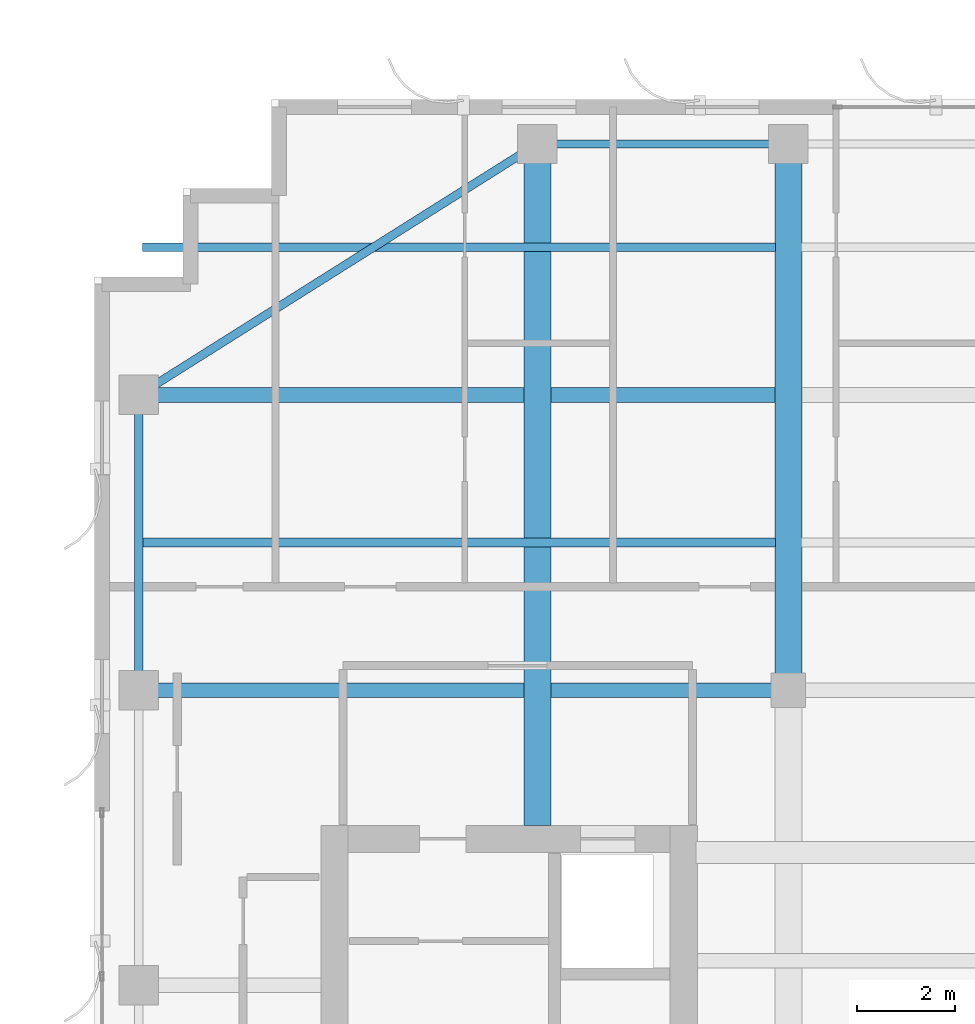
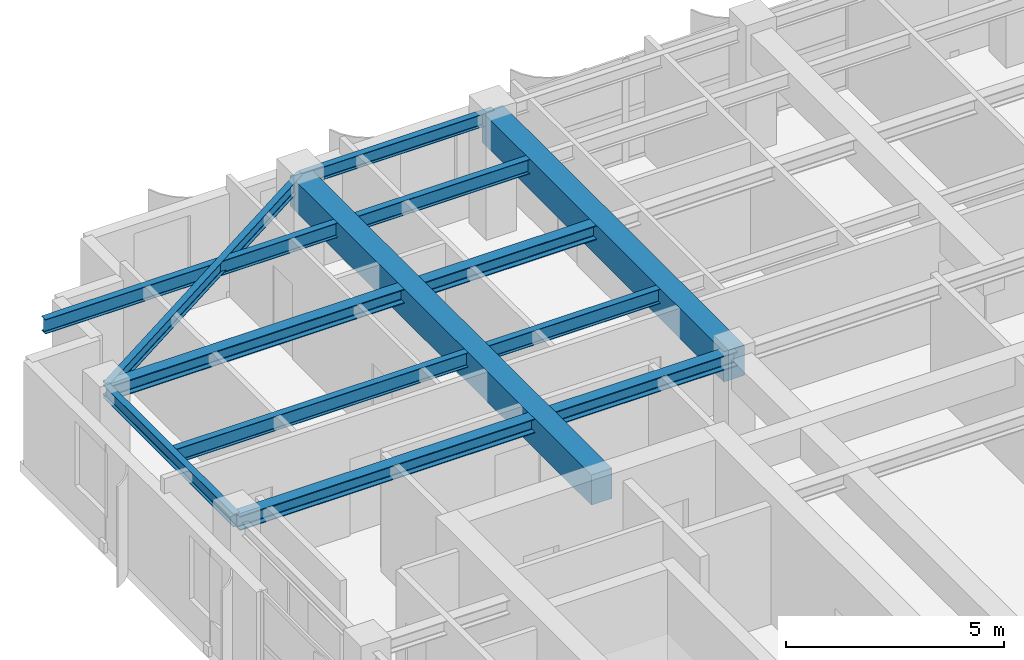
# One storey, part 9 of 19: 9 beams.
"""IFC4 building model written with IfcOpenShell, lengths in metres."""

from ifc_helpers import new_model, si_unit, direction, frame, origin, origin_2d, place, context, subcontext, project, spatial, rectangle, i_section, extrude, source, transform, mapped, material, material_profile, profile_set, type_object, element, save


model = new_model("IFC4")

# Units and contexts
model_context = context("Model", 3, precision=1e-05, world=origin(), true_north=direction((0.0, 1.0)))
body_context = subcontext(model_context, "Body", "Model", "MODEL_VIEW")
ifc_project = project(units=[si_unit("LENGTHUNIT", "METRE"), si_unit("AREAUNIT", "SQUARE_METRE"), si_unit("VOLUMEUNIT", "CUBIC_METRE"), si_unit("PLANEANGLEUNIT", "RADIAN"), si_unit("MASSUNIT", "GRAM", prefix="KILO")], contexts=[model_context])

# Site, building, storey
site_placement = place(None, origin())
site = spatial("IfcSite", under=ifc_project, at=site_placement, CompositionType="ELEMENT")
building_placement = place(site_placement, origin())
building = spatial("IfcBuilding", under=site, at=building_placement, Name="Khoralis Quay Care Tower", CompositionType="ELEMENT")
storey_placement = place(building_placement, frame((0.0, 0.0, 281.699951171875)))
storey = spatial("IfcBuildingStorey", under=building, at=storey_placement, Name="L74", CompositionType="ELEMENT", Elevation=281.699951171875)

# Beams
ifc_material_1 = material(Name="Steel S355", Category="steel")
ifc_material_profile_1 = material_profile(ifc_material_1, i_section(OverallWidth=0.169921875, OverallDepth=0.360107421875, WebThickness=0.008056640625, FlangeThickness=0.0126953125, FilletRadius=0.01806640625, at=origin_2d()), Name="Steel S355")
ifc_profile_set_1 = profile_set([ifc_material_profile_1], Name="Steel S355")
beam_type_1 = type_object("IfcBeamType", Name="BM-IPE360", PredefinedType="SPANDREL", material=ifc_profile_set_1)
shared_shape_1 = source(origin(), body_context, "Body", "SweptSolid", [
    extrude(i_section(OverallWidth=0.169921875, OverallDepth=0.360107421875, WebThickness=0.008056640625, FlangeThickness=0.0126953125, FilletRadius=0.01806640625, at=origin_2d()), origin(), (0.0, 0.0, 1.0), 5.10009765625),
])
beam_1_placement = place(storey_placement, frame((12.0, 41.10009765625, 3.14013671875), z_axis=(1.0, 0.0, 0.0), x_axis=(0.0, 1.0, 0.0)))
element("IfcBeam", 1, at=beam_1_placement, inside=storey, type_object=beam_type_1, Name="BM-TSP-L74-05", PredefinedType="SPANDREL", context=body_context, shape_type="MappedRepresentation", body=[
    mapped(shared_shape_1, transform((0.0, 0.0, 0.0), scale=1.0)),
])
shared_shape_2 = source(origin(), body_context, "Body", "SweptSolid", [
    extrude(i_section(OverallWidth=0.169921875, OverallDepth=0.360107421875, WebThickness=0.008056640625, FlangeThickness=0.0126953125, FilletRadius=0.01806640625, at=origin_2d()), origin(), (0.0, 0.0, 1.0), 6.0),
])
beam_2_placement = place(storey_placement, frame((3.89990234375, 30.0, 3.14013671875), z_axis=(0.0, 1.0, 0.0), x_axis=(-1.0, 0.0, 0.0)))
element("IfcBeam", 2, at=beam_2_placement, inside=storey, type_object=beam_type_1, Name="BM-TSP-L74-12", PredefinedType="SPANDREL", context=body_context, shape_type="MappedRepresentation", body=[
    mapped(shared_shape_2, transform((0.0, 0.0, 0.0), scale=1.0)),
])
shared_shape_3 = source(origin(), body_context, "Body", "SweptSolid", [
    extrude(i_section(OverallWidth=0.169921875, OverallDepth=0.360107421875, WebThickness=0.008056640625, FlangeThickness=0.0126953125, FilletRadius=0.01806640625, at=origin_2d()), origin(), (0.0, 0.0, 1.0), 9.572021484375),
])
beam_3_placement = place(storey_placement, frame((12.0, 41.10009765625, 3.14013671875), z_axis=(-0.846231136359, -0.532815975602, 0.0), x_axis=(0.532815975602, -0.846231136359, 0.0)))
element("IfcBeam", 3, at=beam_3_placement, inside=storey, type_object=beam_type_1, Name="BM-TCR-L74-19", PredefinedType="SPANDREL", context=body_context, shape_type="MappedRepresentation", body=[
    mapped(shared_shape_3, transform((0.0, 0.0, 0.0), scale=1.0)),
])
ifc_material_profile_2 = material_profile(ifc_material_1, i_section(OverallWidth=0.300048828125, OverallDepth=0.39990234375, WebThickness=0.013427734375, FlangeThickness=0.02392578125, FilletRadius=0.027099609375, at=origin_2d()), Name="Steel S355")
ifc_profile_set_2 = profile_set([ifc_material_profile_2], Name="Steel S355")
beam_type_2 = type_object("IfcBeamType", Name="BM-HEB400", PredefinedType="BEAM", material=ifc_profile_set_2)
shared_shape_4 = source(origin(), body_context, "Body", "SweptSolid", [
    extrude(i_section(OverallWidth=0.300048828125, OverallDepth=0.39990234375, WebThickness=0.013427734375, FlangeThickness=0.02392578125, FilletRadius=0.027099609375, at=origin_2d()), origin(), (0.0, 0.0, 1.0), 13.2001953125),
])
beam_4_placement = place(storey_placement, frame((3.89990234375, 30.0, 3.1201171875), z_axis=(1.0, 0.0, 0.0), x_axis=(0.0, 1.0, 0.0)))
element("IfcBeam", 4, at=beam_4_placement, inside=storey, type_object=beam_type_2, Name="BM-TGXW-L74-300", PredefinedType="BEAM", context=body_context, shape_type="MappedRepresentation", body=[
    mapped(shared_shape_4, transform((0.0, 0.0, 0.0), scale=1.0)),
])
shared_shape_5 = source(origin(), body_context, "Body", "SweptSolid", [
    extrude(i_section(OverallWidth=0.300048828125, OverallDepth=0.39990234375, WebThickness=0.013427734375, FlangeThickness=0.02392578125, FilletRadius=0.027099609375, at=origin_2d()), origin(), (0.0, 0.0, 1.0), 12.93701171875),
])
beam_5_placement = place(storey_placement, frame((3.89990234375, 36.0, 3.1201171875), z_axis=(1.0, 0.0, 0.0), x_axis=(0.0, 1.0, 0.0)))
element("IfcBeam", 5, at=beam_5_placement, inside=storey, type_object=beam_type_2, Name="BM-TGXW-L74-360", PredefinedType="BEAM", context=body_context, shape_type="MappedRepresentation", body=[
    mapped(shared_shape_5, transform((0.0, 0.0, 0.0), scale=1.0)),
])
ifc_material_2 = material(Name="Concrete C50/60", Category="concrete")
ifc_material_profile_3 = material_profile(ifc_material_2, rectangle(XDim=0.550048828125, YDim=0.85009765625, at=origin_2d()), Name="Concrete C50/60")
ifc_profile_set_3 = profile_set([ifc_material_profile_3], Name="Concrete C50/60")
beam_type_3 = type_object("IfcBeamType", Name="BM-RC550X850", PredefinedType="BEAM", material=ifc_profile_set_3)
shared_shape_6 = source(origin(), body_context, "Body", "SweptSolid", [
    extrude(rectangle(XDim=0.550048828125, YDim=0.85009765625, at=origin_2d()), origin(), (0.0, 0.0, 1.0), 13.85205078125),
])
beam_6_placement = place(storey_placement, frame((12.0, 27.248046875, 2.89501953125), z_axis=(0.0, 1.0, 0.0), x_axis=(-1.0, 0.0, 0.0)))
element("IfcBeam", 6, at=beam_6_placement, inside=storey, type_object=beam_type_3, Name="BM-TGYN-L74-120", PredefinedType="BEAM", context=body_context, shape_type="MappedRepresentation", body=[
    mapped(shared_shape_6, transform((0.0, 0.0, 0.0), scale=1.0)),
])
shared_shape_7 = source(origin(), body_context, "Body", "SweptSolid", [
    extrude(rectangle(XDim=0.550048828125, YDim=0.85009765625, at=origin_2d()), origin(), (0.0, 0.0, 1.0), 11.10009765625),
])
beam_7_placement = place(storey_placement, frame((17.10009765625, 30.0, 2.89501953125), z_axis=(0.0, 1.0, 0.0), x_axis=(-1.0, 0.0, 0.0)))
element("IfcBeam", 7, at=beam_7_placement, inside=storey, type_object=beam_type_3, Name="BM-TGYN-L74-171", PredefinedType="BEAM", context=body_context, shape_type="MappedRepresentation", body=[
    mapped(shared_shape_7, transform((0.0, 0.0, 0.0), scale=1.0)),
])
ifc_material_profile_4 = material_profile(ifc_material_1, i_section(OverallWidth=0.177978515625, OverallDepth=0.406982421875, WebThickness=0.0078125, FlangeThickness=0.0126953125, FilletRadius=0.012939453125, at=origin_2d()), Name="Steel S355")
ifc_profile_set_4 = profile_set([ifc_material_profile_4], Name="Steel S355")
beam_type_4 = type_object("IfcBeamType", Name="BM-W410X60", PredefinedType="JOIST", material=ifc_profile_set_4)
shared_shape_8 = source(origin(), body_context, "Body", "SweptSolid", [
    extrude(i_section(OverallWidth=0.177978515625, OverallDepth=0.406982421875, WebThickness=0.0078125, FlangeThickness=0.0126953125, FilletRadius=0.012939453125, at=origin_2d()), origin(), (0.0, 0.0, 1.0), 12.865966796875),
])
for number, where, z_axis, x_axis, name in (
    (8, (3.970947265625, 33.0, 3.116455078125), (1.0, 0.0, 0.0), (0.0, 1.0, 0.0), "BM-TJS-L74-24"),
    (9, (3.970947265625, 39.0, 3.116455078125), (1.0, 0.0, 0.0), (0.0, 1.0, 0.0), "BM-TJS-L74-27"),
):
    element("IfcBeam", number, at=place(storey_placement, frame(where, z_axis=z_axis, x_axis=x_axis)), inside=storey, type_object=beam_type_4, Name=name, PredefinedType="JOIST", context=body_context, shape_type="MappedRepresentation", body=[
        mapped(shared_shape_8, transform((0.0, 0.0, 0.0), scale=1.0)),
    ])

save(model, "model.ifc")
